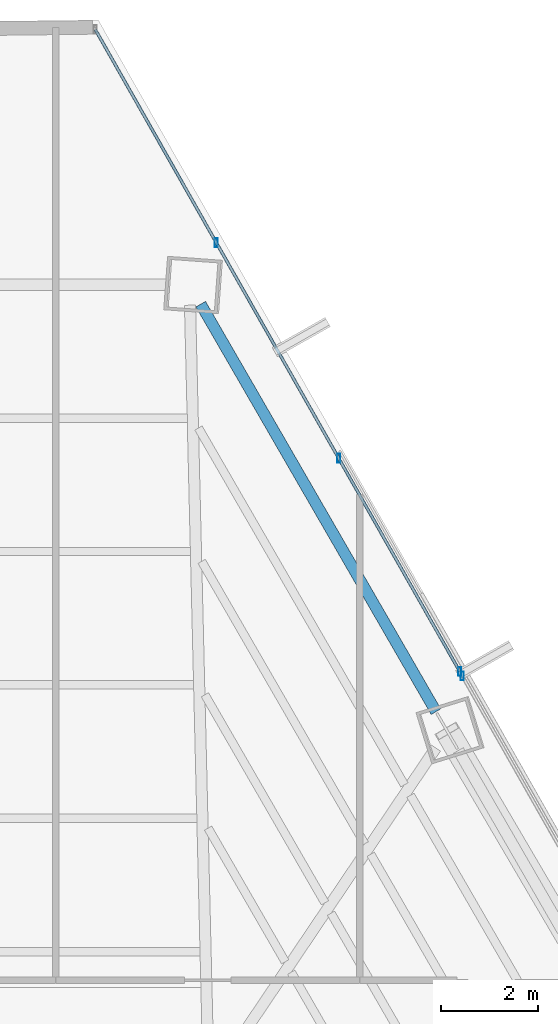
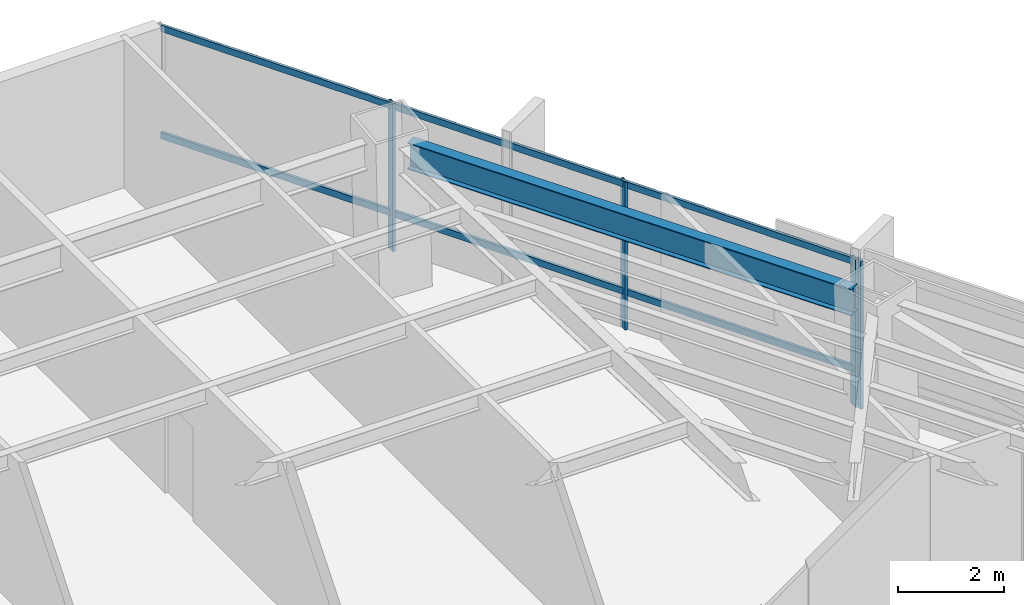
# One storey, part 29 of 37: 6 members, 1 beam, 2 elements without a shape of their own.
"""IFC4 building model written with IfcOpenShell, lengths in metres."""

from ifc_helpers import new_model, si_unit, direction, frame, origin, origin_2d, place, context, subcontext, project, spatial, hollow_rectangle, i_section, extrude, source, transform, mapped, material, material_profile, profile_set, type_object, type_shapes, element, aggregate, save


model = new_model("IFC4")

# Units and contexts
model_context = context("Model", 3, precision=1e-05, world=origin(), true_north=direction((0.0, 1.0)))
body_context = subcontext(model_context, "Body", "Model", "MODEL_VIEW")
ifc_project = project(units=[si_unit("LENGTHUNIT", "METRE"), si_unit("AREAUNIT", "SQUARE_METRE"), si_unit("VOLUMEUNIT", "CUBIC_METRE"), si_unit("PLANEANGLEUNIT", "RADIAN"), si_unit("MASSUNIT", "GRAM", prefix="KILO")], contexts=[model_context])

# Site, building, storey
site_placement = place(None, origin())
site = spatial("IfcSite", under=ifc_project, at=site_placement, CompositionType="ELEMENT")
building_placement = place(site_placement, origin())
building = spatial("IfcBuilding", under=site, at=building_placement, Name="Caelisora Broadcast Tower", CompositionType="ELEMENT")
storey_placement = place(building_placement, frame((0.0, 0.0, 116.35009765625)))
storey = spatial("IfcBuildingStorey", under=building, at=storey_placement, Name="L30", CompositionType="ELEMENT", Elevation=116.35009765625)

# Beam
ifc_material_1 = material(Name="Steel Grade 350 (AS/NZS 3679.1)", Category="steel")
ifc_material_profile_1 = material_profile(ifc_material_1, i_section(OverallWidth=0.22900390625, OverallDepth=0.611572265625, WebThickness=0.011962890625, FlangeThickness=0.01953125, at=origin_2d()), Name="Steel Grade 350 (AS/NZS 3679.1)")
ifc_profile_set_1 = profile_set([ifc_material_profile_1], Name="Steel Grade 350 (AS/NZS 3679.1)")
beam_type = type_object("IfcBeamType", Name="PG03", PredefinedType="BEAM", material=ifc_profile_set_1)
shared_shape_1 = source(origin(), body_context, "Body", "SweptSolid", [
    extrude(i_section(OverallWidth=0.22900390625, OverallDepth=0.611572265625, WebThickness=0.011962890625, FlangeThickness=0.01953125, at=origin_2d()), origin(), (0.0, 0.0, 1.0), 9.66455078125),
])
type_shapes(beam_type, [shared_shape_1])
beam_placement = place(storey_placement, frame((50.16650390625, 37.66650390625, 3.093994140625), z_axis=(-0.500005268417, 0.866022362041, 0.0), x_axis=(-0.866022362041, -0.500005268417, 0.0)))
element("IfcBeam", 1, at=beam_placement, inside=storey, type_object=beam_type, Name="L30 beam PG03", PredefinedType="BEAM", context=body_context, shape_type="MappedRepresentation", body=[
    mapped(shared_shape_1, transform((0.0, 0.0, 0.0), scale=1.0)),
])

# Curtain wall, members
ifc_material_2 = material(Name="Unitised Aluminium and Low-E Glass Curtain Wall", Category="glass")
curtain_wall_type_1 = type_object("IfcCurtainWallType", Name="CW-Z2", PredefinedType="NOTDEFINED", material=ifc_material_2)
curtain_wall_1_placement = place(storey_placement, origin())
curtain_wall_1 = element("IfcCurtainWall", 2, at=curtain_wall_1_placement, inside=storey, type_object=curtain_wall_type_1, Name="L30 curtain wall CW-Z2", PredefinedType="NOTDEFINED")
ifc_material_3 = material(Name="Aluminium 6063-T6 Anodised Terracotta Bronze", Category="aluminium")
ifc_material_profile_2 = material_profile(ifc_material_3, hollow_rectangle(XDim=0.06494140625, YDim=0.179931640625, WallThickness=0.00341796875, at=origin_2d()), Name="Aluminium 6063-T6 Anodised Terracotta Bronze")
ifc_profile_set_2 = profile_set([ifc_material_profile_2], Name="Aluminium 6063-T6 Anodised Terracotta Bronze")
member_type_1 = type_object("IfcMemberType", Name="CWM-02", PredefinedType="MULLION", material=ifc_profile_set_2)
shared_shape_2 = source(origin(), body_context, "Body", "SweptSolid", [
    extrude(hollow_rectangle(XDim=0.06494140625, YDim=0.179931640625, WallThickness=0.00341796875, at=origin_2d()), origin(), (0.0, 0.0, 1.0), 3.39990234375),
])
type_shapes(member_type_1, [shared_shape_2])
member_1_placement = place(storey_placement, frame((45.655517578125, 47.297607421875, 0.0), z_axis=(0.0, 0.0, 1.0), x_axis=(1.0, 0.0, 0.0)))
member_1 = element("IfcMember", 3, at=member_1_placement, type_object=member_type_1, Name="L30-CW-B01 mullion #1", PredefinedType="MULLION", context=body_context, shape_type="MappedRepresentation", body=[
    mapped(shared_shape_2, transform((0.0, 0.0, 0.0), scale=1.0)),
])
member_2_placement = place(storey_placement, frame((48.1669921875, 42.8740234375, 0.0), z_axis=(0.0, 0.0, 1.0), x_axis=(1.0, 0.0, 0.0)))
member_2 = element("IfcMember", 4, at=member_2_placement, type_object=member_type_1, Name="L30-CW-B01 mullion #2", PredefinedType="MULLION", context=body_context, shape_type="MappedRepresentation", body=[
    mapped(shared_shape_2, transform((0.0, 0.0, 0.0), scale=1.0)),
])
member_3_placement = place(storey_placement, frame((50.65380859375, 38.494140625, 0.0), z_axis=(0.0, 0.0, 1.0), x_axis=(1.0, 0.0, 0.0)))
member_3 = element("IfcMember", 5, at=member_3_placement, type_object=member_type_1, Name="L30-CW-B01 mullion #3", PredefinedType="MULLION", context=body_context, shape_type="MappedRepresentation", body=[
    mapped(shared_shape_2, transform((0.0, 0.0, 0.0), scale=1.0)),
])

# Curtain wall, member
ifc_material_4 = material(Name="Unitised Aluminium Insulated Shadow-Box Spandrel Curtain Wall", Category="aluminium")
curtain_wall_type_2 = type_object("IfcCurtainWallType", Name="CW-SP1", PredefinedType="NOTDEFINED", material=ifc_material_4)
curtain_wall_2_placement = place(storey_placement, origin())
curtain_wall_2 = element("IfcCurtainWall", 6, at=curtain_wall_2_placement, inside=storey, type_object=curtain_wall_type_2, Name="L30 curtain wall CW-SP1", PredefinedType="NOTDEFINED")
member_4_placement = place(storey_placement, frame((50.708251953125, 38.3984375, 0.0), z_axis=(0.0, 0.0, 1.0), x_axis=(1.0, 0.0, 0.0)))
member_4 = element("IfcMember", 7, at=member_4_placement, type_object=member_type_1, Name="L30-CW-B02 mullion #0", PredefinedType="MULLION", context=body_context, shape_type="MappedRepresentation", body=[
    mapped(shared_shape_2, transform((0.0, 0.0, 0.0), scale=1.0)),
])
aggregate(curtain_wall_2, [member_4])

# Member
ifc_material_profile_3 = material_profile(ifc_material_3, hollow_rectangle(XDim=0.06005859375, YDim=0.14990234375, WallThickness=0.00341796875, at=origin_2d()), Name="Aluminium 6063-T6 Anodised Terracotta Bronze")
ifc_profile_set_3 = profile_set([ifc_material_profile_3], Name="Aluminium 6063-T6 Anodised Terracotta Bronze")
member_type_2 = type_object("IfcMemberType", Name="CWT-02", PredefinedType="USERDEFINED", material=ifc_profile_set_3)
shared_shape_3 = source(origin(), body_context, "Body", "SweptSolid", [
    extrude(hollow_rectangle(XDim=0.06005859375, YDim=0.14990234375, WallThickness=0.00341796875, at=origin_2d()), origin(), (0.0, 0.0, 1.0), 15.16015625),
])
type_shapes(member_type_2, [shared_shape_3])
member_5_placement = place(storey_placement, frame((43.168701171875, 51.677490234375, 0.849853515625), z_axis=(0.493738511203, -0.86961041999, 0.0), x_axis=(0.86961041999, 0.493738511203, 0.0)))
member_5 = element("IfcMember", 8, at=member_5_placement, type_object=member_type_2, Name="L30-CW-B01 transom #1", ObjectType="TRANSOM", PredefinedType="USERDEFINED", context=body_context, shape_type="MappedRepresentation", body=[
    mapped(shared_shape_3, transform((0.0, 0.0, 0.0), scale=1.0)),
])

member_6_placement = place(storey_placement, frame((43.168701171875, 51.677490234375, 3.31982421875), z_axis=(0.493738511203, -0.86961041999, 0.0), x_axis=(0.86961041999, 0.493738511203, 0.0)))
member_6 = element("IfcMember", 9, at=member_6_placement, type_object=member_type_2, Name="L30-CW-B01 transom #2", ObjectType="TRANSOM", PredefinedType="USERDEFINED", context=body_context, shape_type="MappedRepresentation", body=[
    mapped(shared_shape_3, transform((0.0, 0.0, 0.0), scale=1.0)),
])

aggregate(curtain_wall_1, [member_1, member_2, member_3, member_5, member_6])

save(model, "model.ifc")
